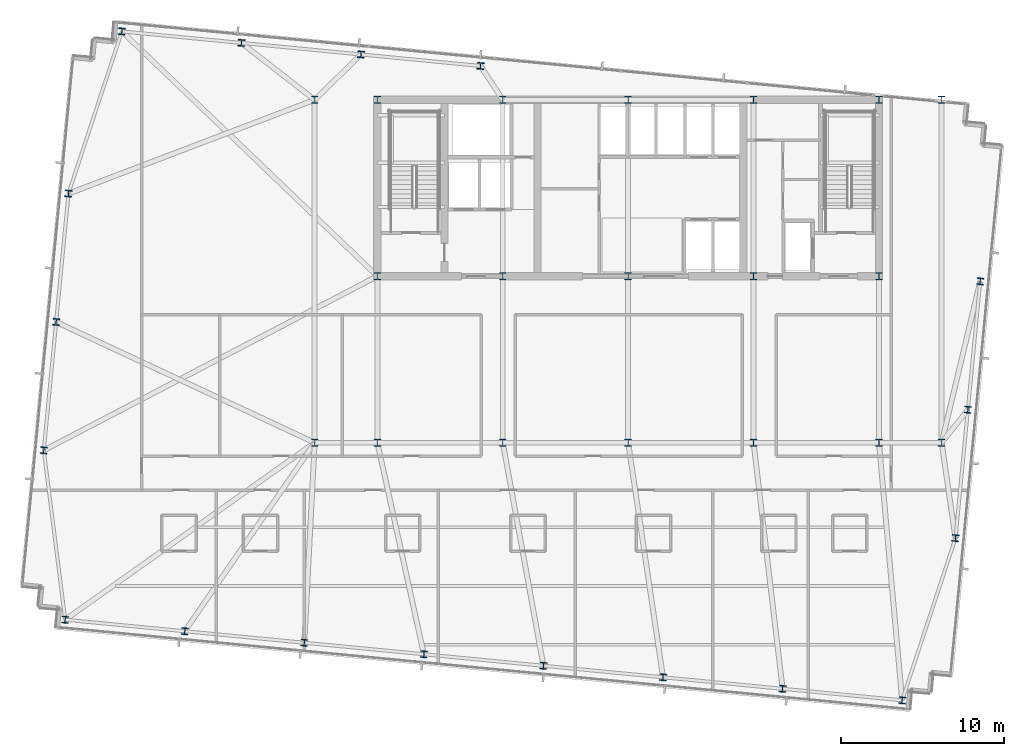
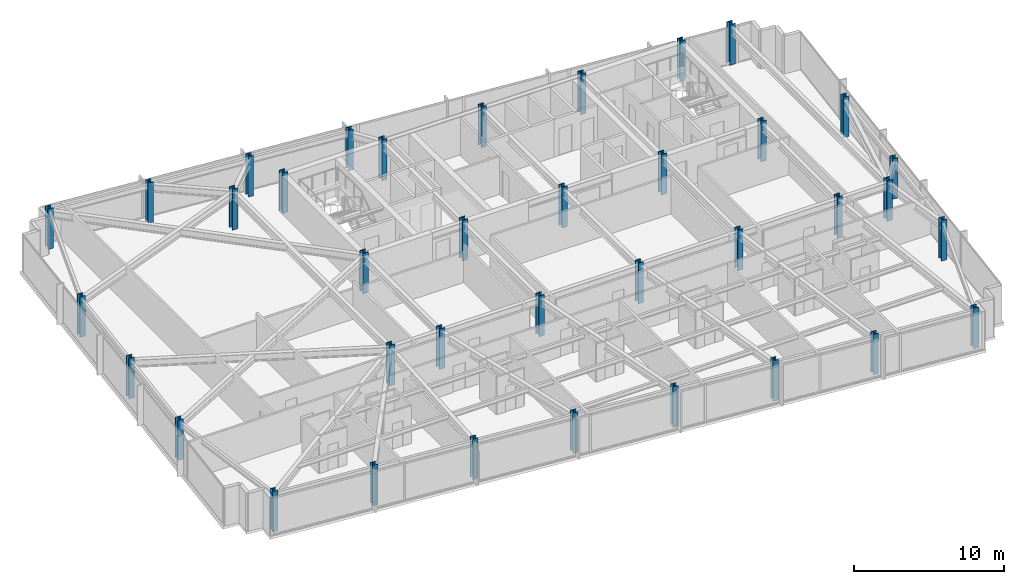
# One storey, part 1 of 37: 37 columns.
"""IFC4 building model written with IfcOpenShell, lengths in metres."""

from ifc_helpers import new_model, si_unit, direction, frame, origin, origin_2d, place, context, subcontext, project, spatial, i_section, extrude, material, material_profile, profile_set, type_object, element, save


model = new_model("IFC4")

# Units and contexts
model_context = context("Model", 3, precision=1e-05, world=origin(), true_north=direction((0.0, 1.0)))
body_context = subcontext(model_context, "Body", "Model", "MODEL_VIEW")
ifc_project = project(units=[si_unit("LENGTHUNIT", "METRE"), si_unit("AREAUNIT", "SQUARE_METRE"), si_unit("VOLUMEUNIT", "CUBIC_METRE"), si_unit("PLANEANGLEUNIT", "RADIAN"), si_unit("MASSUNIT", "GRAM", prefix="KILO")], contexts=[model_context])

# Site, building, storey
site_placement = place(None, origin())
site = spatial("IfcSite", under=ifc_project, at=site_placement, CompositionType="ELEMENT")
building_placement = place(site_placement, origin())
building = spatial("IfcBuilding", under=site, at=building_placement, Name="Yelkora Congress Tower", CompositionType="ELEMENT")
storey_placement = place(building_placement, frame((0.0, 0.0, 165.5)))
storey = spatial("IfcBuildingStorey", under=building, at=storey_placement, Name="L45", CompositionType="ELEMENT", Elevation=165.5)

# Columns
ifc_material = material(Name="Steel S460M", Category="steel")
ifc_material_profile_1 = material_profile(ifc_material, i_section(OverallWidth=0.406005859375, OverallDepth=0.416015625, WebThickness=0.02978515625, FlangeThickness=0.048095703125, FilletRadius=0.014892578125, at=origin_2d()), Name="HD 400x382")
ifc_profile_set_1 = profile_set([ifc_material_profile_1], Name="Steel S460M")
column_type_1 = type_object("IfcColumnType", Name="COL-HD-382-EXT", PredefinedType="COLUMN", material=ifc_profile_set_1)
for number, where, z_axis, x_axis, name in (
    (1, (3.919189453125, 14.357421875, 0.0), (0.0, 0.0, 1.0), (0.995396198367, -0.09584575252, 0.0), "L45 Perimeter Column S01"),
    (2, (11.242431640625, 13.652099609375, 0.0), (0.0, 0.0, 1.0), (0.995396198367, -0.09584575252, 0.0), "L45 Perimeter Column S02"),
    (3, (18.56591796875, 12.947021484375, 0.0), (0.0, 0.0, 1.0), (0.995396198367, -0.09584575252, 0.0), "L45 Perimeter Column S03"),
    (4, (25.888916015625, 12.24169921875, 0.0), (0.0, 0.0, 1.0), (0.995396198367, -0.09584575252, 0.0), "L45 Perimeter Column S04"),
    (5, (33.21240234375, 11.53662109375, 0.0), (0.0, 0.0, 1.0), (0.995396198367, -0.09584575252, 0.0), "L45 Perimeter Column S05"),
    (6, (40.53564453125, 10.83154296875, 0.0), (0.0, 0.0, 1.0), (0.995396198367, -0.09584575252, 0.0), "L45 Perimeter Column S06"),
    (7, (47.85888671875, 10.12646484375, 0.0), (0.0, 0.0, 1.0), (0.995396198367, -0.09584575252, 0.0), "L45 Perimeter Column S07"),
    (8, (55.18212890625, 9.421142578125, 0.0), (0.0, 0.0, 1.0), (0.995396198367, -0.09584575252, 0.0), "L45 Perimeter Column S08"),
    (9, (7.388916015625, 50.390625, 0.0), (0.0, 0.0, 1.0), (0.995396198367, -0.09584575252, 0.0), "L45 Perimeter Column N01"),
    (10, (14.712158203125, 49.685546875, 0.0), (0.0, 0.0, 1.0), (0.995396198367, -0.09584575252, 0.0), "L45 Perimeter Column N02"),
    (11, (22.035400390625, 48.980224609375, 0.0), (0.0, 0.0, 1.0), (0.995396198367, -0.09584575252, 0.0), "L45 Perimeter Column N03"),
    (12, (29.358642578125, 48.275146484375, 0.0), (0.0, 0.0, 1.0), (0.995396198367, -0.09584575252, 0.0), "L45 Perimeter Column N04"),
    (13, (2.607421875, 24.730712890625, 0.0), (0.0, 0.0, 1.0), (0.995396198367, -0.09584575252, 0.0), "L45 Perimeter Column W01"),
    (14, (58.44921875, 19.353759765625, 0.0), (0.0, 0.0, 1.0), (0.995396198367, -0.09584575252, 0.0), "L45 Perimeter Column E01"),
    (15, (3.364501953125, 32.594482421875, 0.0), (0.0, 0.0, 1.0), (0.995396198367, -0.09584575252, 0.0), "L45 Perimeter Column W02"),
    (16, (59.206298828125, 27.217529296875, 0.0), (0.0, 0.0, 1.0), (0.995396198367, -0.09584575252, 0.0), "L45 Perimeter Column E02"),
    (17, (4.121826171875, 40.4580078125, 0.0), (0.0, 0.0, 1.0), (0.995396198367, -0.09584575252, 0.0), "L45 Perimeter Column W03"),
    (18, (59.96337890625, 35.0810546875, 0.0), (0.0, 0.0, 1.0), (0.995396198367, -0.09584575252, 0.0), "L45 Perimeter Column E03"),
):
    element("IfcColumn", number, at=place(storey_placement, frame(where, z_axis=z_axis, x_axis=x_axis)), inside=storey, type_object=column_type_1, Name=name, PredefinedType="COLUMN", context=body_context, shape_type="SweptSolid", body=[
        extrude(i_section(OverallWidth=0.406005859375, OverallDepth=0.416015625, WebThickness=0.02978515625, FlangeThickness=0.048095703125, FilletRadius=0.014892578125, at=origin_2d()), origin(), (0.0, 0.0, 1.0), 3.300048828125),
    ])
ifc_material_profile_2 = material_profile(ifc_material, i_section(OverallWidth=0.41796875, OverallDepth=0.455078125, WebThickness=0.0419921875, FlangeThickness=0.068115234375, FilletRadius=0.014892578125, at=origin_2d()), Name="HD 400x551")
ifc_profile_set_2 = profile_set([ifc_material_profile_2], Name="Steel S460M")
column_type_2 = type_object("IfcColumnType", Name="COL-HD-551", PredefinedType="COLUMN", material=ifc_profile_set_2)
for number, where, z_axis, x_axis, name in (
    (19, (23.0400390625, 35.39990234375, 0.0), (0.0, 0.0, 1.0), (1.0, 0.0, 0.0), "L45 Mega Column MC-S1"),
    (20, (23.0400390625, 46.199951171875, 0.0), (0.0, 0.0, 1.0), (1.0, 0.0, 0.0), "L45 Mega Column MC-N1"),
    (21, (23.0400390625, 25.199951171875, 0.0), (0.0, 0.0, 1.0), (1.0, 0.0, 0.0), "L45 Mega Column MC-D1"),
    (22, (30.719970703125, 35.39990234375, 0.0), (0.0, 0.0, 1.0), (1.0, 0.0, 0.0), "L45 Mega Column MC-S2"),
    (23, (30.719970703125, 46.199951171875, 0.0), (0.0, 0.0, 1.0), (1.0, 0.0, 0.0), "L45 Mega Column MC-N2"),
    (24, (30.719970703125, 25.199951171875, 0.0), (0.0, 0.0, 1.0), (1.0, 0.0, 0.0), "L45 Mega Column MC-D2"),
    (25, (38.39990234375, 35.39990234375, 0.0), (0.0, 0.0, 1.0), (1.0, 0.0, 0.0), "L45 Mega Column MC-S3"),
    (26, (38.39990234375, 46.199951171875, 0.0), (0.0, 0.0, 1.0), (1.0, 0.0, 0.0), "L45 Mega Column MC-N3"),
    (27, (38.39990234375, 25.199951171875, 0.0), (0.0, 0.0, 1.0), (1.0, 0.0, 0.0), "L45 Mega Column MC-D3"),
    (28, (46.080078125, 35.39990234375, 0.0), (0.0, 0.0, 1.0), (1.0, 0.0, 0.0), "L45 Mega Column MC-S4"),
    (29, (46.080078125, 46.199951171875, 0.0), (0.0, 0.0, 1.0), (1.0, 0.0, 0.0), "L45 Mega Column MC-N4"),
    (30, (46.080078125, 25.199951171875, 0.0), (0.0, 0.0, 1.0), (1.0, 0.0, 0.0), "L45 Mega Column MC-D4"),
    (31, (53.760009765625, 35.39990234375, 0.0), (0.0, 0.0, 1.0), (1.0, 0.0, 0.0), "L45 Mega Column MC-S5"),
    (32, (53.760009765625, 46.199951171875, 0.0), (0.0, 0.0, 1.0), (1.0, 0.0, 0.0), "L45 Mega Column MC-N5"),
    (33, (53.760009765625, 25.199951171875, 0.0), (0.0, 0.0, 1.0), (1.0, 0.0, 0.0), "L45 Mega Column MC-D5"),
    (34, (19.199951171875, 25.199951171875, 0.0), (0.0, 0.0, 1.0), (1.0, 0.0, 0.0), "L45 Mega Column MC-F1"),
    (35, (57.60009765625, 25.199951171875, 0.0), (0.0, 0.0, 1.0), (1.0, 0.0, 0.0), "L45 Mega Column MC-F2"),
    (36, (19.199951171875, 46.199951171875, 0.0), (0.0, 0.0, 1.0), (1.0, 0.0, 0.0), "L45 Mega Column MC-F3"),
    (37, (57.60009765625, 46.199951171875, 0.0), (0.0, 0.0, 1.0), (1.0, 0.0, 0.0), "L45 Mega Column MC-F4"),
):
    element("IfcColumn", number, at=place(storey_placement, frame(where, z_axis=z_axis, x_axis=x_axis)), inside=storey, type_object=column_type_2, Name=name, PredefinedType="COLUMN", context=body_context, shape_type="SweptSolid", body=[
        extrude(i_section(OverallWidth=0.41796875, OverallDepth=0.455078125, WebThickness=0.0419921875, FlangeThickness=0.068115234375, FilletRadius=0.014892578125, at=origin_2d()), origin(), (0.0, 0.0, 1.0), 3.300048828125),
    ])

save(model, "model.ifc")
